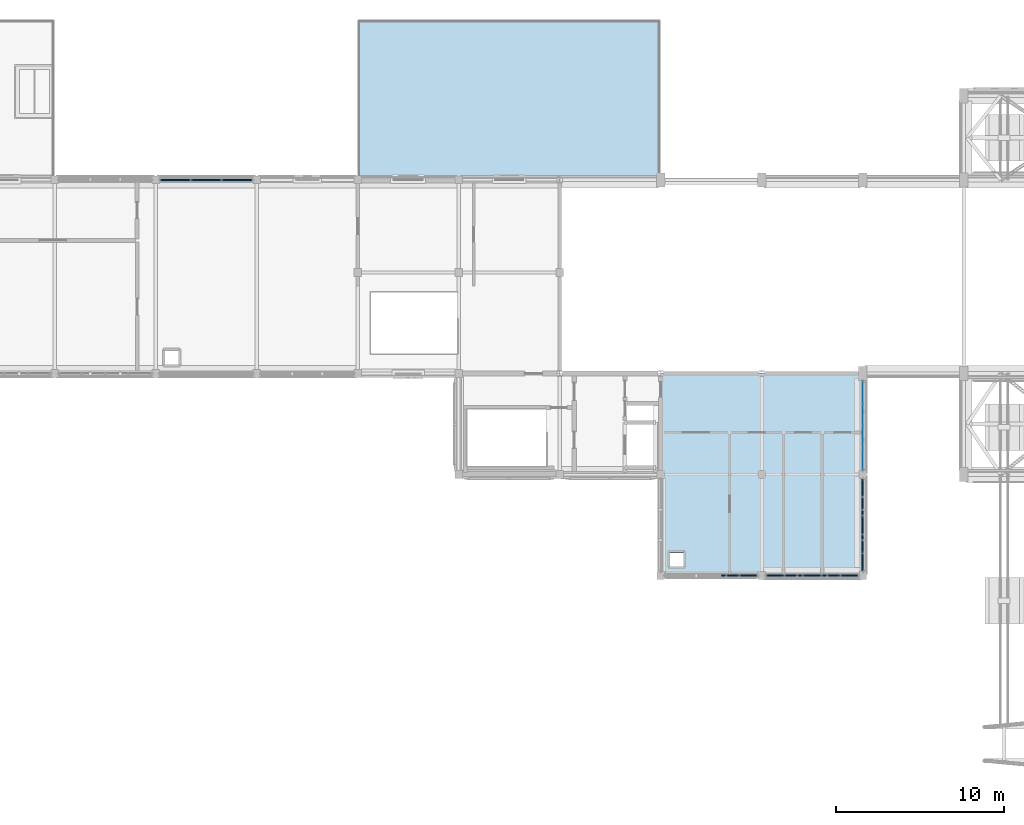
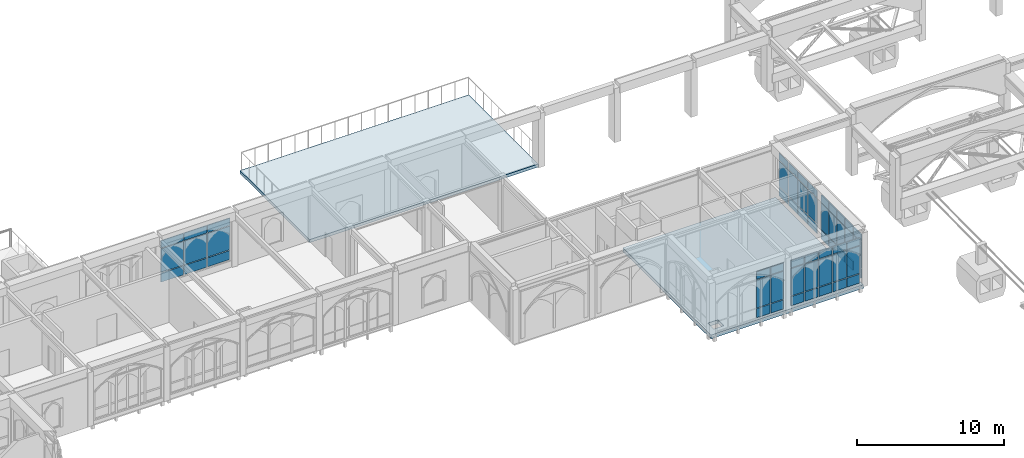
# One storey, part 38 of 59: 57 plates, 2 slabs, 5 elements without a shape of their own.
"""IFC4 building model written with IfcOpenShell, lengths in metres."""

from ifc_helpers import new_model, si_unit, direction, frame, origin, origin_2d, place, context, subcontext, project, spatial, polyline, rectangle, outline, extrude, material, layer, layer_set, type_object, element, aggregate, save


model = new_model("IFC4")

# Units and contexts
model_context = context("Model", 3, precision=1e-05, world=origin(), true_north=direction((0.0, 1.0)))
body_context = subcontext(model_context, "Body", "Model", "MODEL_VIEW")
ifc_project = project(units=[si_unit("LENGTHUNIT", "METRE"), si_unit("AREAUNIT", "SQUARE_METRE"), si_unit("VOLUMEUNIT", "CUBIC_METRE"), si_unit("PLANEANGLEUNIT", "RADIAN"), si_unit("MASSUNIT", "GRAM", prefix="KILO")], contexts=[model_context])

# Site, building, storey
site_placement = place(None, origin())
site = spatial("IfcSite", under=ifc_project, at=site_placement, CompositionType="ELEMENT")
building_placement = place(site_placement, origin())
building = spatial("IfcBuilding", under=site, at=building_placement, Name="Cumevento Cable Car Station", CompositionType="ELEMENT")
storey_placement = place(building_placement, frame((0.0, 0.0, 18.0)))
storey = spatial("IfcBuildingStorey", under=building, at=storey_placement, Name="L05", CompositionType="ELEMENT", Elevation=18.0)

# Slab
ifc_material_1 = material(Name="Concrete C40/50", Category="concrete")
ifc_layer_1 = layer(ifc_material_1, 0.2958984375)
ifc_layer_set_1 = layer_set([ifc_layer_1], Name="Concrete C40/50")
slab_type_1 = type_object("IfcSlabType", Name="Concrete Deck FS-296 296", PredefinedType="FLOOR", material=ifc_layer_set_1)
slab_1_placement = place(storey_placement, frame((0.0, 0.0, -0.2958984375)))
element("IfcSlab", 1, at=slab_1_placement, inside=storey, type_object=slab_type_1, Name="Floor Slab FS-296 L05 B_V2d.1", PredefinedType="FLOOR", context=body_context, shape_type="SweptSolid", body=[
    extrude(outline(polyline([(70.0, 33.0), (82.0, 33.0), (82.0, 45.0), (70.0, 45.0), (70.0, 33.0)]), holes=[polyline([(70.550048828125, 33.550048828125), (71.35009765625, 33.550048828125), (71.35009765625, 34.35009765625), (70.550048828125, 34.35009765625), (70.550048828125, 33.550048828125)])]), origin(), (0.0, 0.0, 1.0), 0.2958984375),
])

# Curtain wall, plates
ifc_material_2 = material(Name="Anodised Bronze Aluminium AW-6063-T6", Category="aluminium")
ifc_layer_2 = layer(ifc_material_2, 0.18408203125)
ifc_layer_set_2 = layer_set([ifc_layer_2], Name="Anodised Bronze Aluminium AW-6063-T6")
curtain_wall_type_1 = type_object("IfcCurtainWallType", Name="Lancet Curtain Wall CW-05 1210", PredefinedType="NOTDEFINED", material=ifc_layer_set_2)
curtain_wall_1_placement = place(storey_placement, origin())
curtain_wall_1 = element("IfcCurtainWall", 2, at=curtain_wall_1_placement, inside=storey, type_object=curtain_wall_type_1, Name="Lancet Curtain Wall CW-05 L05 #196", PredefinedType="NOTDEFINED")
ifc_material_3 = material(Name="Solar Control Laminated Double Glazing", Category="glass")
ifc_layer_3 = layer(ifc_material_3, 0.02197265625)
ifc_layer_set_3 = layer_set([ifc_layer_3], Name="Solar Control Laminated Double Glazing")
plate_type_1 = type_object("IfcPlateType", Name="Glazed Panel CWP-01 22", PredefinedType="CURTAIN_PANEL", material=ifc_layer_set_3)
plate_1_placement = place(storey_placement, frame((82.0, 43.889892578125, 0.425048828125), z_axis=(0.0, 0.0, 1.0), x_axis=(0.0, -1.0, 0.0)))
plate_1 = element("IfcPlate", 3, at=plate_1_placement, type_object=plate_type_1, Name="CW-05 panel 1.1", PredefinedType="CURTAIN_PANEL", context=body_context, shape_type="SweptSolid", body=[
    extrude(rectangle(XDim=1.239990234375, YDim=0.02197265625, at=origin_2d()), origin(), (0.0, 0.0, 1.0), 0.75244140625),
])
plate_2_placement = place(storey_placement, frame((82.0, 43.889892578125, 1.24267578125), z_axis=(0.0, 0.0, 1.0), x_axis=(0.0, -1.0, 0.0)))
plate_2 = element("IfcPlate", 4, at=plate_2_placement, type_object=plate_type_1, Name="CW-05 panel 1.2", PredefinedType="CURTAIN_PANEL", context=body_context, shape_type="SweptSolid", body=[
    extrude(rectangle(XDim=1.239990234375, YDim=0.02197265625, at=origin_2d()), origin(), (0.0, 0.0, 1.0), 2.117919921875),
])
plate_3_placement = place(storey_placement, frame((82.0, 43.889892578125, 3.425537109375), z_axis=(0.0, 0.0, 1.0), x_axis=(0.0, -1.0, 0.0)))
plate_3 = element("IfcPlate", 5, at=plate_3_placement, type_object=plate_type_1, Name="CW-05 panel 1.3", PredefinedType="CURTAIN_PANEL", context=body_context, shape_type="SweptSolid", body=[
    extrude(rectangle(XDim=1.239990234375, YDim=0.02197265625, at=origin_2d()), origin(), (0.0, 0.0, 1.0), 0.6025390625),
])
plate_4_placement = place(storey_placement, frame((82.0, 42.56884765625, 0.425048828125), z_axis=(0.0, 0.0, 1.0), x_axis=(0.0, -1.0, 0.0)))
plate_4 = element("IfcPlate", 6, at=plate_4_placement, type_object=plate_type_1, Name="CW-05 panel 2.1", PredefinedType="CURTAIN_PANEL", context=body_context, shape_type="SweptSolid", body=[
    extrude(rectangle(XDim=1.2724609375, YDim=0.02197265625, at=origin_2d()), origin(), (0.0, 0.0, 1.0), 0.75244140625),
])
plate_5_placement = place(storey_placement, frame((82.0, 42.56884765625, 1.24267578125), z_axis=(0.0, 0.0, 1.0), x_axis=(0.0, -1.0, 0.0)))
plate_5 = element("IfcPlate", 7, at=plate_5_placement, type_object=plate_type_1, Name="CW-05 panel 2.2", PredefinedType="CURTAIN_PANEL", context=body_context, shape_type="SweptSolid", body=[
    extrude(rectangle(XDim=1.2724609375, YDim=0.02197265625, at=origin_2d()), origin(), (0.0, 0.0, 1.0), 2.117919921875),
])
plate_6_placement = place(storey_placement, frame((82.0, 42.56884765625, 3.425537109375), z_axis=(0.0, 0.0, 1.0), x_axis=(0.0, -1.0, 0.0)))
plate_6 = element("IfcPlate", 8, at=plate_6_placement, type_object=plate_type_1, Name="CW-05 panel 2.3", PredefinedType="CURTAIN_PANEL", context=body_context, shape_type="SweptSolid", body=[
    extrude(rectangle(XDim=1.2724609375, YDim=0.02197265625, at=origin_2d()), origin(), (0.0, 0.0, 1.0), 0.6025390625),
])
plate_7_placement = place(storey_placement, frame((82.0, 41.231201171875, 0.425048828125), z_axis=(0.0, 0.0, 1.0), x_axis=(0.0, -1.0, 0.0)))
plate_7 = element("IfcPlate", 9, at=plate_7_placement, type_object=plate_type_1, Name="CW-05 panel 3.1", PredefinedType="CURTAIN_PANEL", context=body_context, shape_type="SweptSolid", body=[
    extrude(rectangle(XDim=1.2724609375, YDim=0.02197265625, at=origin_2d()), origin(), (0.0, 0.0, 1.0), 0.75244140625),
])
plate_8_placement = place(storey_placement, frame((82.0, 41.231201171875, 1.24267578125), z_axis=(0.0, 0.0, 1.0), x_axis=(0.0, -1.0, 0.0)))
plate_8 = element("IfcPlate", 10, at=plate_8_placement, type_object=plate_type_1, Name="CW-05 panel 3.2", PredefinedType="CURTAIN_PANEL", context=body_context, shape_type="SweptSolid", body=[
    extrude(rectangle(XDim=1.2724609375, YDim=0.02197265625, at=origin_2d()), origin(), (0.0, 0.0, 1.0), 2.117919921875),
])
plate_9_placement = place(storey_placement, frame((82.0, 41.231201171875, 3.425537109375), z_axis=(0.0, 0.0, 1.0), x_axis=(0.0, -1.0, 0.0)))
plate_9 = element("IfcPlate", 11, at=plate_9_placement, type_object=plate_type_1, Name="CW-05 panel 3.3", PredefinedType="CURTAIN_PANEL", context=body_context, shape_type="SweptSolid", body=[
    extrude(rectangle(XDim=1.2724609375, YDim=0.02197265625, at=origin_2d()), origin(), (0.0, 0.0, 1.0), 0.6025390625),
])
plate_10_placement = place(storey_placement, frame((82.0, 39.909912109375, 0.425048828125), z_axis=(0.0, 0.0, 1.0), x_axis=(0.0, -1.0, 0.0)))
plate_10 = element("IfcPlate", 12, at=plate_10_placement, type_object=plate_type_1, Name="CW-05 panel 4.1", PredefinedType="CURTAIN_PANEL", context=body_context, shape_type="SweptSolid", body=[
    extrude(rectangle(XDim=1.239990234375, YDim=0.02197265625, at=origin_2d()), origin(), (0.0, 0.0, 1.0), 0.75244140625),
])
plate_11_placement = place(storey_placement, frame((82.0, 39.909912109375, 1.24267578125), z_axis=(0.0, 0.0, 1.0), x_axis=(0.0, -1.0, 0.0)))
plate_11 = element("IfcPlate", 13, at=plate_11_placement, type_object=plate_type_1, Name="CW-05 panel 4.2", PredefinedType="CURTAIN_PANEL", context=body_context, shape_type="SweptSolid", body=[
    extrude(rectangle(XDim=1.239990234375, YDim=0.02197265625, at=origin_2d()), origin(), (0.0, 0.0, 1.0), 2.117919921875),
])
plate_12_placement = place(storey_placement, frame((82.0, 39.909912109375, 3.425537109375), z_axis=(0.0, 0.0, 1.0), x_axis=(0.0, -1.0, 0.0)))
plate_12 = element("IfcPlate", 14, at=plate_12_placement, type_object=plate_type_1, Name="CW-05 panel 4.3", PredefinedType="CURTAIN_PANEL", context=body_context, shape_type="SweptSolid", body=[
    extrude(rectangle(XDim=1.239990234375, YDim=0.02197265625, at=origin_2d()), origin(), (0.0, 0.0, 1.0), 0.6025390625),
])
aggregate(curtain_wall_1, [plate_1, plate_2, plate_3, plate_4, plate_5, plate_6, plate_7, plate_8, plate_9, plate_10, plate_11, plate_12])

ifc_material_4 = material(Name="Anodised Bronze Aluminium AW-6063-T6", Category="aluminium")
ifc_layer_4 = layer(ifc_material_4, 0.159912109375)
ifc_layer_set_4 = layer_set([ifc_layer_4], Name="Anodised Bronze Aluminium AW-6063-T6")
curtain_wall_type_2 = type_object("IfcCurtainWallType", Name="Lancet Curtain Wall CW-01 1050", PredefinedType="NOTDEFINED", material=ifc_layer_set_4)
curtain_wall_2_placement = place(storey_placement, origin())
curtain_wall_2 = element("IfcCurtainWall", 15, at=curtain_wall_2_placement, inside=storey, type_object=curtain_wall_type_2, Name="Lancet Curtain Wall CW-01 L05 #192", PredefinedType="NOTDEFINED")
ifc_material_5 = material(Name="Insulated Bronze Aluminium Spandrel Panel", Category="aluminium")
ifc_layer_5 = layer(ifc_material_5, 0.06591796875)
ifc_layer_set_5 = layer_set([ifc_layer_5], Name="Insulated Bronze Aluminium Spandrel Panel")
plate_type_2 = type_object("IfcPlateType", Name="Spandrel Panel CWP-11 66", PredefinedType="CURTAIN_PANEL", material=ifc_layer_set_5)
plate_13_placement = place(storey_placement, frame((75.203857421875, 33.0, 0.22509765625), z_axis=(0.0, 0.0, 1.0), x_axis=(-1.0, 0.0, 0.0)))
plate_13 = element("IfcPlate", 16, at=plate_13_placement, type_object=plate_type_2, Name="CW-01 panel 1.1", PredefinedType="CURTAIN_PANEL", context=body_context, shape_type="SweptSolid", body=[
    extrude(rectangle(XDim=1.012451171875, YDim=0.06591796875, at=origin_2d()), origin(), (0.0, 0.0, 1.0), 0.75244140625),
])
plate_14_placement = place(storey_placement, frame((75.203857421875, 33.0, 1.04248046875), z_axis=(0.0, 0.0, 1.0), x_axis=(-1.0, 0.0, 0.0)))
plate_14 = element("IfcPlate", 17, at=plate_14_placement, type_object=plate_type_2, Name="CW-01 panel 1.2", PredefinedType="CURTAIN_PANEL", context=body_context, shape_type="SweptSolid", body=[
    extrude(rectangle(XDim=1.012451171875, YDim=0.06591796875, at=origin_2d()), origin(), (0.0, 0.0, 1.0), 2.318115234375),
])
plate_15_placement = place(storey_placement, frame((75.203857421875, 33.0, 3.425537109375), z_axis=(0.0, 0.0, 1.0), x_axis=(-1.0, 0.0, 0.0)))
plate_15 = element("IfcPlate", 18, at=plate_15_placement, type_object=plate_type_2, Name="CW-01 panel 1.3", PredefinedType="CURTAIN_PANEL", context=body_context, shape_type="SweptSolid", body=[
    extrude(rectangle(XDim=1.012451171875, YDim=0.06591796875, at=origin_2d()), origin(), (0.0, 0.0, 1.0), 0.6025390625),
])
plate_16_placement = place(storey_placement, frame((74.110107421875, 33.0, 0.22509765625), z_axis=(0.0, 0.0, 1.0), x_axis=(-1.0, 0.0, 0.0)))
plate_16 = element("IfcPlate", 19, at=plate_16_placement, type_object=plate_type_2, Name="CW-01 panel 2.1", PredefinedType="CURTAIN_PANEL", context=body_context, shape_type="SweptSolid", body=[
    extrude(rectangle(XDim=1.044921875, YDim=0.06591796875, at=origin_2d()), origin(), (0.0, 0.0, 1.0), 0.75244140625),
])
plate_17_placement = place(storey_placement, frame((74.110107421875, 33.0, 1.04248046875), z_axis=(0.0, 0.0, 1.0), x_axis=(-1.0, 0.0, 0.0)))
plate_17 = element("IfcPlate", 20, at=plate_17_placement, type_object=plate_type_2, Name="CW-01 panel 2.2", PredefinedType="CURTAIN_PANEL", context=body_context, shape_type="SweptSolid", body=[
    extrude(rectangle(XDim=1.044921875, YDim=0.06591796875, at=origin_2d()), origin(), (0.0, 0.0, 1.0), 2.318115234375),
])
plate_18_placement = place(storey_placement, frame((74.110107421875, 33.0, 3.425537109375), z_axis=(0.0, 0.0, 1.0), x_axis=(-1.0, 0.0, 0.0)))
plate_18 = element("IfcPlate", 21, at=plate_18_placement, type_object=plate_type_2, Name="CW-01 panel 2.3", PredefinedType="CURTAIN_PANEL", context=body_context, shape_type="SweptSolid", body=[
    extrude(rectangle(XDim=1.044921875, YDim=0.06591796875, at=origin_2d()), origin(), (0.0, 0.0, 1.0), 0.6025390625),
])
aggregate(curtain_wall_2, [plate_13, plate_14, plate_15, plate_16, plate_17, plate_18])

ifc_material_6 = material(Name="Anodised Bronze Aluminium AW-6063-T6", Category="aluminium")
ifc_layer_6 = layer(ifc_material_6, 0.166015625)
ifc_layer_set_6 = layer_set([ifc_layer_6], Name="Anodised Bronze Aluminium AW-6063-T6")
curtain_wall_type_3 = type_object("IfcCurtainWallType", Name="Lancet Curtain Wall CW-02 1090", PredefinedType="NOTDEFINED", material=ifc_layer_set_6)
curtain_wall_3_placement = place(storey_placement, origin())
curtain_wall_3 = element("IfcCurtainWall", 22, at=curtain_wall_3_placement, inside=storey, type_object=curtain_wall_type_3, Name="Lancet Curtain Wall CW-02 L05 #193", PredefinedType="NOTDEFINED")
ifc_material_7 = material(Name="Insulated Bronze Aluminium Spandrel Panel", Category="aluminium")
ifc_layer_7 = layer(ifc_material_7, 0.072021484375)
ifc_layer_set_7 = layer_set([ifc_layer_7], Name="Insulated Bronze Aluminium Spandrel Panel")
plate_type_3 = type_object("IfcPlateType", Name="Spandrel Panel CWP-12 72", PredefinedType="CURTAIN_PANEL", material=ifc_layer_set_7)
plate_19_placement = place(storey_placement, frame((81.203857421875, 33.0, 0.275146484375), z_axis=(0.0, 0.0, 1.0), x_axis=(-1.0, 0.0, 0.0)))
plate_19 = element("IfcPlate", 23, at=plate_19_placement, type_object=plate_type_3, Name="CW-02 panel 1.1", PredefinedType="CURTAIN_PANEL", context=body_context, shape_type="SweptSolid", body=[
    extrude(rectangle(XDim=1.012451171875, YDim=0.072021484375, at=origin_2d()), origin(), (0.0, 0.0, 1.0), 0.75244140625),
])
plate_20_placement = place(storey_placement, frame((81.203857421875, 33.0, 1.092529296875), z_axis=(0.0, 0.0, 1.0), x_axis=(-1.0, 0.0, 0.0)))
plate_20 = element("IfcPlate", 24, at=plate_20_placement, type_object=plate_type_3, Name="CW-02 panel 1.2", PredefinedType="CURTAIN_PANEL", context=body_context, shape_type="SweptSolid", body=[
    extrude(rectangle(XDim=1.012451171875, YDim=0.072021484375, at=origin_2d()), origin(), (0.0, 0.0, 1.0), 2.26806640625),
])
plate_21_placement = place(storey_placement, frame((81.203857421875, 33.0, 3.425537109375), z_axis=(0.0, 0.0, 1.0), x_axis=(-1.0, 0.0, 0.0)))
plate_21 = element("IfcPlate", 25, at=plate_21_placement, type_object=plate_type_3, Name="CW-02 panel 1.3", PredefinedType="CURTAIN_PANEL", context=body_context, shape_type="SweptSolid", body=[
    extrude(rectangle(XDim=1.012451171875, YDim=0.072021484375, at=origin_2d()), origin(), (0.0, 0.0, 1.0), 0.6025390625),
])
plate_22_placement = place(storey_placement, frame((80.110107421875, 33.0, 0.275146484375), z_axis=(0.0, 0.0, 1.0), x_axis=(-1.0, 0.0, 0.0)))
plate_22 = element("IfcPlate", 26, at=plate_22_placement, type_object=plate_type_3, Name="CW-02 panel 2.1", PredefinedType="CURTAIN_PANEL", context=body_context, shape_type="SweptSolid", body=[
    extrude(rectangle(XDim=1.044921875, YDim=0.072021484375, at=origin_2d()), origin(), (0.0, 0.0, 1.0), 0.75244140625),
])
plate_23_placement = place(storey_placement, frame((80.110107421875, 33.0, 1.092529296875), z_axis=(0.0, 0.0, 1.0), x_axis=(-1.0, 0.0, 0.0)))
plate_23 = element("IfcPlate", 27, at=plate_23_placement, type_object=plate_type_3, Name="CW-02 panel 2.2", PredefinedType="CURTAIN_PANEL", context=body_context, shape_type="SweptSolid", body=[
    extrude(rectangle(XDim=1.044921875, YDim=0.072021484375, at=origin_2d()), origin(), (0.0, 0.0, 1.0), 2.26806640625),
])
plate_24_placement = place(storey_placement, frame((80.110107421875, 33.0, 3.425537109375), z_axis=(0.0, 0.0, 1.0), x_axis=(-1.0, 0.0, 0.0)))
plate_24 = element("IfcPlate", 28, at=plate_24_placement, type_object=plate_type_3, Name="CW-02 panel 2.3", PredefinedType="CURTAIN_PANEL", context=body_context, shape_type="SweptSolid", body=[
    extrude(rectangle(XDim=1.044921875, YDim=0.072021484375, at=origin_2d()), origin(), (0.0, 0.0, 1.0), 0.6025390625),
])
plate_25_placement = place(storey_placement, frame((79.0, 33.0, 0.275146484375), z_axis=(0.0, 0.0, 1.0), x_axis=(-1.0, 0.0, 0.0)))
plate_25 = element("IfcPlate", 29, at=plate_25_placement, type_object=plate_type_3, Name="CW-02 panel 3.1", PredefinedType="CURTAIN_PANEL", context=body_context, shape_type="SweptSolid", body=[
    extrude(rectangle(XDim=1.044921875, YDim=0.072021484375, at=origin_2d()), origin(), (0.0, 0.0, 1.0), 0.75244140625),
])
plate_26_placement = place(storey_placement, frame((79.0, 33.0, 1.092529296875), z_axis=(0.0, 0.0, 1.0), x_axis=(-1.0, 0.0, 0.0)))
plate_26 = element("IfcPlate", 30, at=plate_26_placement, type_object=plate_type_3, Name="CW-02 panel 3.2", PredefinedType="CURTAIN_PANEL", context=body_context, shape_type="SweptSolid", body=[
    extrude(rectangle(XDim=1.044921875, YDim=0.072021484375, at=origin_2d()), origin(), (0.0, 0.0, 1.0), 2.26806640625),
])
plate_27_placement = place(storey_placement, frame((79.0, 33.0, 3.425537109375), z_axis=(0.0, 0.0, 1.0), x_axis=(-1.0, 0.0, 0.0)))
plate_27 = element("IfcPlate", 31, at=plate_27_placement, type_object=plate_type_3, Name="CW-02 panel 3.3", PredefinedType="CURTAIN_PANEL", context=body_context, shape_type="SweptSolid", body=[
    extrude(rectangle(XDim=1.044921875, YDim=0.072021484375, at=origin_2d()), origin(), (0.0, 0.0, 1.0), 0.6025390625),
])
plate_28_placement = place(storey_placement, frame((77.889892578125, 33.0, 0.275146484375), z_axis=(0.0, 0.0, 1.0), x_axis=(-1.0, 0.0, 0.0)))
plate_28 = element("IfcPlate", 32, at=plate_28_placement, type_object=plate_type_3, Name="CW-02 panel 4.1", PredefinedType="CURTAIN_PANEL", context=body_context, shape_type="SweptSolid", body=[
    extrude(rectangle(XDim=1.044921875, YDim=0.072021484375, at=origin_2d()), origin(), (0.0, 0.0, 1.0), 0.75244140625),
])
plate_29_placement = place(storey_placement, frame((77.889892578125, 33.0, 1.092529296875), z_axis=(0.0, 0.0, 1.0), x_axis=(-1.0, 0.0, 0.0)))
plate_29 = element("IfcPlate", 33, at=plate_29_placement, type_object=plate_type_3, Name="CW-02 panel 4.2", PredefinedType="CURTAIN_PANEL", context=body_context, shape_type="SweptSolid", body=[
    extrude(rectangle(XDim=1.044921875, YDim=0.072021484375, at=origin_2d()), origin(), (0.0, 0.0, 1.0), 2.26806640625),
])
plate_30_placement = place(storey_placement, frame((77.889892578125, 33.0, 3.425537109375), z_axis=(0.0, 0.0, 1.0), x_axis=(-1.0, 0.0, 0.0)))
plate_30 = element("IfcPlate", 34, at=plate_30_placement, type_object=plate_type_3, Name="CW-02 panel 4.3", PredefinedType="CURTAIN_PANEL", context=body_context, shape_type="SweptSolid", body=[
    extrude(rectangle(XDim=1.044921875, YDim=0.072021484375, at=origin_2d()), origin(), (0.0, 0.0, 1.0), 0.6025390625),
])
plate_31_placement = place(storey_placement, frame((76.796142578125, 33.0, 0.275146484375), z_axis=(0.0, 0.0, 1.0), x_axis=(-1.0, 0.0, 0.0)))
plate_31 = element("IfcPlate", 35, at=plate_31_placement, type_object=plate_type_3, Name="CW-02 panel 5.1", PredefinedType="CURTAIN_PANEL", context=body_context, shape_type="SweptSolid", body=[
    extrude(rectangle(XDim=1.012451171875, YDim=0.072021484375, at=origin_2d()), origin(), (0.0, 0.0, 1.0), 0.75244140625),
])
plate_32_placement = place(storey_placement, frame((76.796142578125, 33.0, 1.092529296875), z_axis=(0.0, 0.0, 1.0), x_axis=(-1.0, 0.0, 0.0)))
plate_32 = element("IfcPlate", 36, at=plate_32_placement, type_object=plate_type_3, Name="CW-02 panel 5.2", PredefinedType="CURTAIN_PANEL", context=body_context, shape_type="SweptSolid", body=[
    extrude(rectangle(XDim=1.012451171875, YDim=0.072021484375, at=origin_2d()), origin(), (0.0, 0.0, 1.0), 2.26806640625),
])
plate_33_placement = place(storey_placement, frame((76.796142578125, 33.0, 3.425537109375), z_axis=(0.0, 0.0, 1.0), x_axis=(-1.0, 0.0, 0.0)))
plate_33 = element("IfcPlate", 37, at=plate_33_placement, type_object=plate_type_3, Name="CW-02 panel 5.3", PredefinedType="CURTAIN_PANEL", context=body_context, shape_type="SweptSolid", body=[
    extrude(rectangle(XDim=1.012451171875, YDim=0.072021484375, at=origin_2d()), origin(), (0.0, 0.0, 1.0), 0.6025390625),
])
aggregate(curtain_wall_3, [plate_19, plate_20, plate_21, plate_22, plate_23, plate_24, plate_25, plate_26, plate_27, plate_28, plate_29, plate_30, plate_31, plate_32, plate_33])

ifc_material_8 = material(Name="Anodised Bronze Aluminium AW-6063-T6", Category="aluminium")
ifc_layer_8 = layer(ifc_material_8, 0.25)
ifc_layer_set_8 = layer_set([ifc_layer_8], Name="Anodised Bronze Aluminium AW-6063-T6")
curtain_wall_type_4 = type_object("IfcCurtainWallType", Name="Lancet Curtain Wall CW-16 1650", PredefinedType="NOTDEFINED", material=ifc_layer_set_8)
curtain_wall_4_placement = place(storey_placement, origin())
curtain_wall_4 = element("IfcCurtainWall", 38, at=curtain_wall_4_placement, inside=storey, type_object=curtain_wall_type_4, Name="Lancet Curtain Wall CW-16 L05 #207", PredefinedType="NOTDEFINED")
plate_34_placement = place(storey_placement, frame((41.166259765625, 56.5, 0.5849609375), z_axis=(0.0, 0.0, 1.0), x_axis=(1.0, 0.0, 0.0)))
plate_34 = element("IfcPlate", 39, at=plate_34_placement, type_object=plate_type_3, Name="CW-16 panel 1.1", PredefinedType="CURTAIN_PANEL", context=body_context, shape_type="SweptSolid", body=[
    extrude(rectangle(XDim=1.75244140625, YDim=0.072021484375, at=origin_2d()), origin(), (0.0, 0.0, 1.0), 0.75244140625),
])
plate_35_placement = place(storey_placement, frame((41.166259765625, 56.5, 1.402587890625), z_axis=(0.0, 0.0, 1.0), x_axis=(1.0, 0.0, 0.0)))
plate_35 = element("IfcPlate", 40, at=plate_35_placement, type_object=plate_type_3, Name="CW-16 panel 1.2", PredefinedType="CURTAIN_PANEL", context=body_context, shape_type="SweptSolid", body=[
    extrude(rectangle(XDim=1.75244140625, YDim=0.072021484375, at=origin_2d()), origin(), (0.0, 0.0, 1.0), 1.9580078125),
])
plate_36_placement = place(storey_placement, frame((41.166259765625, 56.5, 3.425537109375), z_axis=(0.0, 0.0, 1.0), x_axis=(1.0, 0.0, 0.0)))
plate_36 = element("IfcPlate", 41, at=plate_36_placement, type_object=plate_type_3, Name="CW-16 panel 1.3", PredefinedType="CURTAIN_PANEL", context=body_context, shape_type="SweptSolid", body=[
    extrude(rectangle(XDim=1.75244140625, YDim=0.072021484375, at=origin_2d()), origin(), (0.0, 0.0, 1.0), 0.6025390625),
])
plate_37_placement = place(storey_placement, frame((43.0, 56.5, 0.5849609375), z_axis=(0.0, 0.0, 1.0), x_axis=(1.0, 0.0, 0.0)))
plate_37 = element("IfcPlate", 42, at=plate_37_placement, type_object=plate_type_3, Name="CW-16 panel 2.1", PredefinedType="CURTAIN_PANEL", context=body_context, shape_type="SweptSolid", body=[
    extrude(rectangle(XDim=1.784912109375, YDim=0.072021484375, at=origin_2d()), origin(), (0.0, 0.0, 1.0), 0.75244140625),
])
plate_38_placement = place(storey_placement, frame((43.0, 56.5, 1.402587890625), z_axis=(0.0, 0.0, 1.0), x_axis=(1.0, 0.0, 0.0)))
plate_38 = element("IfcPlate", 43, at=plate_38_placement, type_object=plate_type_3, Name="CW-16 panel 2.2", PredefinedType="CURTAIN_PANEL", context=body_context, shape_type="SweptSolid", body=[
    extrude(rectangle(XDim=1.784912109375, YDim=0.072021484375, at=origin_2d()), origin(), (0.0, 0.0, 1.0), 1.9580078125),
])
plate_39_placement = place(storey_placement, frame((43.0, 56.5, 3.425537109375), z_axis=(0.0, 0.0, 1.0), x_axis=(1.0, 0.0, 0.0)))
plate_39 = element("IfcPlate", 44, at=plate_39_placement, type_object=plate_type_3, Name="CW-16 panel 2.3", PredefinedType="CURTAIN_PANEL", context=body_context, shape_type="SweptSolid", body=[
    extrude(rectangle(XDim=1.784912109375, YDim=0.072021484375, at=origin_2d()), origin(), (0.0, 0.0, 1.0), 0.6025390625),
])
plate_40_placement = place(storey_placement, frame((44.833740234375, 56.5, 0.5849609375), z_axis=(0.0, 0.0, 1.0), x_axis=(1.0, 0.0, 0.0)))
plate_40 = element("IfcPlate", 45, at=plate_40_placement, type_object=plate_type_3, Name="CW-16 panel 3.1", PredefinedType="CURTAIN_PANEL", context=body_context, shape_type="SweptSolid", body=[
    extrude(rectangle(XDim=1.75244140625, YDim=0.072021484375, at=origin_2d()), origin(), (0.0, 0.0, 1.0), 0.75244140625),
])
plate_41_placement = place(storey_placement, frame((44.833740234375, 56.5, 1.402587890625), z_axis=(0.0, 0.0, 1.0), x_axis=(1.0, 0.0, 0.0)))
plate_41 = element("IfcPlate", 46, at=plate_41_placement, type_object=plate_type_3, Name="CW-16 panel 3.2", PredefinedType="CURTAIN_PANEL", context=body_context, shape_type="SweptSolid", body=[
    extrude(rectangle(XDim=1.75244140625, YDim=0.072021484375, at=origin_2d()), origin(), (0.0, 0.0, 1.0), 1.9580078125),
])
plate_42_placement = place(storey_placement, frame((44.833740234375, 56.5, 3.425537109375), z_axis=(0.0, 0.0, 1.0), x_axis=(1.0, 0.0, 0.0)))
plate_42 = element("IfcPlate", 47, at=plate_42_placement, type_object=plate_type_3, Name="CW-16 panel 3.3", PredefinedType="CURTAIN_PANEL", context=body_context, shape_type="SweptSolid", body=[
    extrude(rectangle(XDim=1.75244140625, YDim=0.072021484375, at=origin_2d()), origin(), (0.0, 0.0, 1.0), 0.6025390625),
])
aggregate(curtain_wall_4, [plate_34, plate_35, plate_36, plate_37, plate_38, plate_39, plate_40, plate_41, plate_42])

ifc_material_9 = material(Name="Anodised Bronze Aluminium AW-6063-T6", Category="aluminium")
ifc_layer_9 = layer(ifc_material_9, 0.177978515625)
ifc_layer_set_9 = layer_set([ifc_layer_9], Name="Anodised Bronze Aluminium AW-6063-T6")
curtain_wall_type_5 = type_object("IfcCurtainWallType", Name="Lancet Curtain Wall CW-04 1170", PredefinedType="NOTDEFINED", material=ifc_layer_set_9)
curtain_wall_5_placement = place(storey_placement, origin())
curtain_wall_5 = element("IfcCurtainWall", 48, at=curtain_wall_5_placement, inside=storey, type_object=curtain_wall_type_5, Name="Lancet Curtain Wall CW-04 L05 #195", PredefinedType="NOTDEFINED")
ifc_material_10 = material(Name="Insulated Bronze Aluminium Spandrel Panel", Category="aluminium")
ifc_layer_10 = layer(ifc_material_10, 0.0849609375)
ifc_layer_set_10 = layer_set([ifc_layer_10], Name="Insulated Bronze Aluminium Spandrel Panel")
plate_type_4 = type_object("IfcPlateType", Name="Spandrel Panel CWP-14 85", PredefinedType="CURTAIN_PANEL", material=ifc_layer_set_10)
plate_43_placement = place(storey_placement, frame((82.0, 38.203857421875, 0.375), z_axis=(0.0, 0.0, 1.0), x_axis=(0.0, -1.0, 0.0)))
plate_43 = element("IfcPlate", 49, at=plate_43_placement, type_object=plate_type_4, Name="CW-04 panel 1.1", PredefinedType="CURTAIN_PANEL", context=body_context, shape_type="SweptSolid", body=[
    extrude(rectangle(XDim=1.012451171875, YDim=0.0849609375, at=origin_2d()), origin(), (0.0, 0.0, 1.0), 0.75244140625),
])
plate_44_placement = place(storey_placement, frame((82.0, 38.203857421875, 1.192626953125), z_axis=(0.0, 0.0, 1.0), x_axis=(0.0, -1.0, 0.0)))
plate_44 = element("IfcPlate", 50, at=plate_44_placement, type_object=plate_type_4, Name="CW-04 panel 1.2", PredefinedType="CURTAIN_PANEL", context=body_context, shape_type="SweptSolid", body=[
    extrude(rectangle(XDim=1.012451171875, YDim=0.0849609375, at=origin_2d()), origin(), (0.0, 0.0, 1.0), 2.16796875),
])
plate_45_placement = place(storey_placement, frame((82.0, 38.203857421875, 3.425537109375), z_axis=(0.0, 0.0, 1.0), x_axis=(0.0, -1.0, 0.0)))
plate_45 = element("IfcPlate", 51, at=plate_45_placement, type_object=plate_type_4, Name="CW-04 panel 1.3", PredefinedType="CURTAIN_PANEL", context=body_context, shape_type="SweptSolid", body=[
    extrude(rectangle(XDim=1.012451171875, YDim=0.0849609375, at=origin_2d()), origin(), (0.0, 0.0, 1.0), 0.6025390625),
])
plate_46_placement = place(storey_placement, frame((82.0, 37.110107421875, 0.375), z_axis=(0.0, 0.0, 1.0), x_axis=(0.0, -1.0, 0.0)))
plate_46 = element("IfcPlate", 52, at=plate_46_placement, type_object=plate_type_4, Name="CW-04 panel 2.1", PredefinedType="CURTAIN_PANEL", context=body_context, shape_type="SweptSolid", body=[
    extrude(rectangle(XDim=1.044921875, YDim=0.0849609375, at=origin_2d()), origin(), (0.0, 0.0, 1.0), 0.75244140625),
])
plate_47_placement = place(storey_placement, frame((82.0, 37.110107421875, 1.192626953125), z_axis=(0.0, 0.0, 1.0), x_axis=(0.0, -1.0, 0.0)))
plate_47 = element("IfcPlate", 53, at=plate_47_placement, type_object=plate_type_4, Name="CW-04 panel 2.2", PredefinedType="CURTAIN_PANEL", context=body_context, shape_type="SweptSolid", body=[
    extrude(rectangle(XDim=1.044921875, YDim=0.0849609375, at=origin_2d()), origin(), (0.0, 0.0, 1.0), 2.16796875),
])
plate_48_placement = place(storey_placement, frame((82.0, 37.110107421875, 3.425537109375), z_axis=(0.0, 0.0, 1.0), x_axis=(0.0, -1.0, 0.0)))
plate_48 = element("IfcPlate", 54, at=plate_48_placement, type_object=plate_type_4, Name="CW-04 panel 2.3", PredefinedType="CURTAIN_PANEL", context=body_context, shape_type="SweptSolid", body=[
    extrude(rectangle(XDim=1.044921875, YDim=0.0849609375, at=origin_2d()), origin(), (0.0, 0.0, 1.0), 0.6025390625),
])
plate_49_placement = place(storey_placement, frame((82.0, 36.0, 0.375), z_axis=(0.0, 0.0, 1.0), x_axis=(0.0, -1.0, 0.0)))
plate_49 = element("IfcPlate", 55, at=plate_49_placement, type_object=plate_type_4, Name="CW-04 panel 3.1", PredefinedType="CURTAIN_PANEL", context=body_context, shape_type="SweptSolid", body=[
    extrude(rectangle(XDim=1.044921875, YDim=0.0849609375, at=origin_2d()), origin(), (0.0, 0.0, 1.0), 0.75244140625),
])
plate_50_placement = place(storey_placement, frame((82.0, 36.0, 1.192626953125), z_axis=(0.0, 0.0, 1.0), x_axis=(0.0, -1.0, 0.0)))
plate_50 = element("IfcPlate", 56, at=plate_50_placement, type_object=plate_type_4, Name="CW-04 panel 3.2", PredefinedType="CURTAIN_PANEL", context=body_context, shape_type="SweptSolid", body=[
    extrude(rectangle(XDim=1.044921875, YDim=0.0849609375, at=origin_2d()), origin(), (0.0, 0.0, 1.0), 2.16796875),
])
plate_51_placement = place(storey_placement, frame((82.0, 36.0, 3.425537109375), z_axis=(0.0, 0.0, 1.0), x_axis=(0.0, -1.0, 0.0)))
plate_51 = element("IfcPlate", 57, at=plate_51_placement, type_object=plate_type_4, Name="CW-04 panel 3.3", PredefinedType="CURTAIN_PANEL", context=body_context, shape_type="SweptSolid", body=[
    extrude(rectangle(XDim=1.044921875, YDim=0.0849609375, at=origin_2d()), origin(), (0.0, 0.0, 1.0), 0.6025390625),
])
plate_52_placement = place(storey_placement, frame((82.0, 34.889892578125, 0.375), z_axis=(0.0, 0.0, 1.0), x_axis=(0.0, -1.0, 0.0)))
plate_52 = element("IfcPlate", 58, at=plate_52_placement, type_object=plate_type_4, Name="CW-04 panel 4.1", PredefinedType="CURTAIN_PANEL", context=body_context, shape_type="SweptSolid", body=[
    extrude(rectangle(XDim=1.044921875, YDim=0.0849609375, at=origin_2d()), origin(), (0.0, 0.0, 1.0), 0.75244140625),
])
plate_53_placement = place(storey_placement, frame((82.0, 34.889892578125, 1.192626953125), z_axis=(0.0, 0.0, 1.0), x_axis=(0.0, -1.0, 0.0)))
plate_53 = element("IfcPlate", 59, at=plate_53_placement, type_object=plate_type_4, Name="CW-04 panel 4.2", PredefinedType="CURTAIN_PANEL", context=body_context, shape_type="SweptSolid", body=[
    extrude(rectangle(XDim=1.044921875, YDim=0.0849609375, at=origin_2d()), origin(), (0.0, 0.0, 1.0), 2.16796875),
])
plate_54_placement = place(storey_placement, frame((82.0, 34.889892578125, 3.425537109375), z_axis=(0.0, 0.0, 1.0), x_axis=(0.0, -1.0, 0.0)))
plate_54 = element("IfcPlate", 60, at=plate_54_placement, type_object=plate_type_4, Name="CW-04 panel 4.3", PredefinedType="CURTAIN_PANEL", context=body_context, shape_type="SweptSolid", body=[
    extrude(rectangle(XDim=1.044921875, YDim=0.0849609375, at=origin_2d()), origin(), (0.0, 0.0, 1.0), 0.6025390625),
])
plate_55_placement = place(storey_placement, frame((82.0, 33.796142578125, 0.375), z_axis=(0.0, 0.0, 1.0), x_axis=(0.0, -1.0, 0.0)))
plate_55 = element("IfcPlate", 61, at=plate_55_placement, type_object=plate_type_4, Name="CW-04 panel 5.1", PredefinedType="CURTAIN_PANEL", context=body_context, shape_type="SweptSolid", body=[
    extrude(rectangle(XDim=1.012451171875, YDim=0.0849609375, at=origin_2d()), origin(), (0.0, 0.0, 1.0), 0.75244140625),
])
plate_56_placement = place(storey_placement, frame((82.0, 33.796142578125, 1.192626953125), z_axis=(0.0, 0.0, 1.0), x_axis=(0.0, -1.0, 0.0)))
plate_56 = element("IfcPlate", 62, at=plate_56_placement, type_object=plate_type_4, Name="CW-04 panel 5.2", PredefinedType="CURTAIN_PANEL", context=body_context, shape_type="SweptSolid", body=[
    extrude(rectangle(XDim=1.012451171875, YDim=0.0849609375, at=origin_2d()), origin(), (0.0, 0.0, 1.0), 2.16796875),
])
plate_57_placement = place(storey_placement, frame((82.0, 33.796142578125, 3.425537109375), z_axis=(0.0, 0.0, 1.0), x_axis=(0.0, -1.0, 0.0)))
plate_57 = element("IfcPlate", 63, at=plate_57_placement, type_object=plate_type_4, Name="CW-04 panel 5.3", PredefinedType="CURTAIN_PANEL", context=body_context, shape_type="SweptSolid", body=[
    extrude(rectangle(XDim=1.012451171875, YDim=0.0849609375, at=origin_2d()), origin(), (0.0, 0.0, 1.0), 0.6025390625),
])
aggregate(curtain_wall_5, [plate_43, plate_44, plate_45, plate_46, plate_47, plate_48, plate_49, plate_50, plate_51, plate_52, plate_53, plate_54, plate_55, plate_56, plate_57])

# Slab
ifc_material_11 = material(Name="Concrete C40/50", Category="concrete")
ifc_layer_11 = layer(ifc_material_11, 0.25)
ifc_layer_set_11 = layer_set([ifc_layer_11], Name="Concrete C40/50")
slab_type_2 = type_object("IfcSlabType", Name="Terrace Slab SL-TER-02", PredefinedType="FLOOR", material=ifc_layer_set_11)
slab_2_placement = place(storey_placement, frame((0.0, 0.0, -0.25)))
element("IfcSlab", 64, at=slab_2_placement, inside=storey, type_object=slab_type_2, Name="Ropeway Portal Observation Terrace", PredefinedType="FLOOR", context=body_context, shape_type="SweptSolid", body=[
    extrude(outline(polyline([(52.0, 56.5), (70.0, 56.5), (70.0, 66.0), (52.0, 66.0), (52.0, 56.5)])), origin(), (0.0, 0.0, 1.0), 0.25),
])

save(model, "model.ifc")
